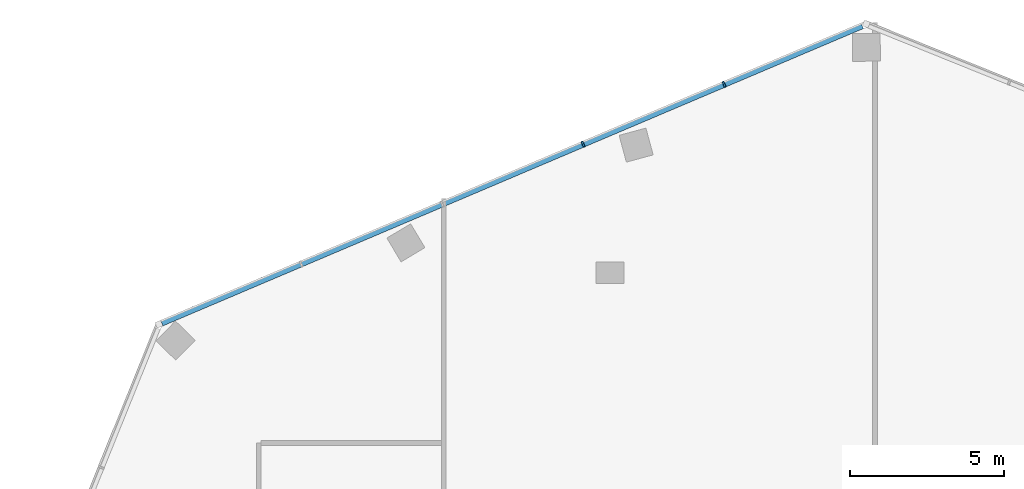
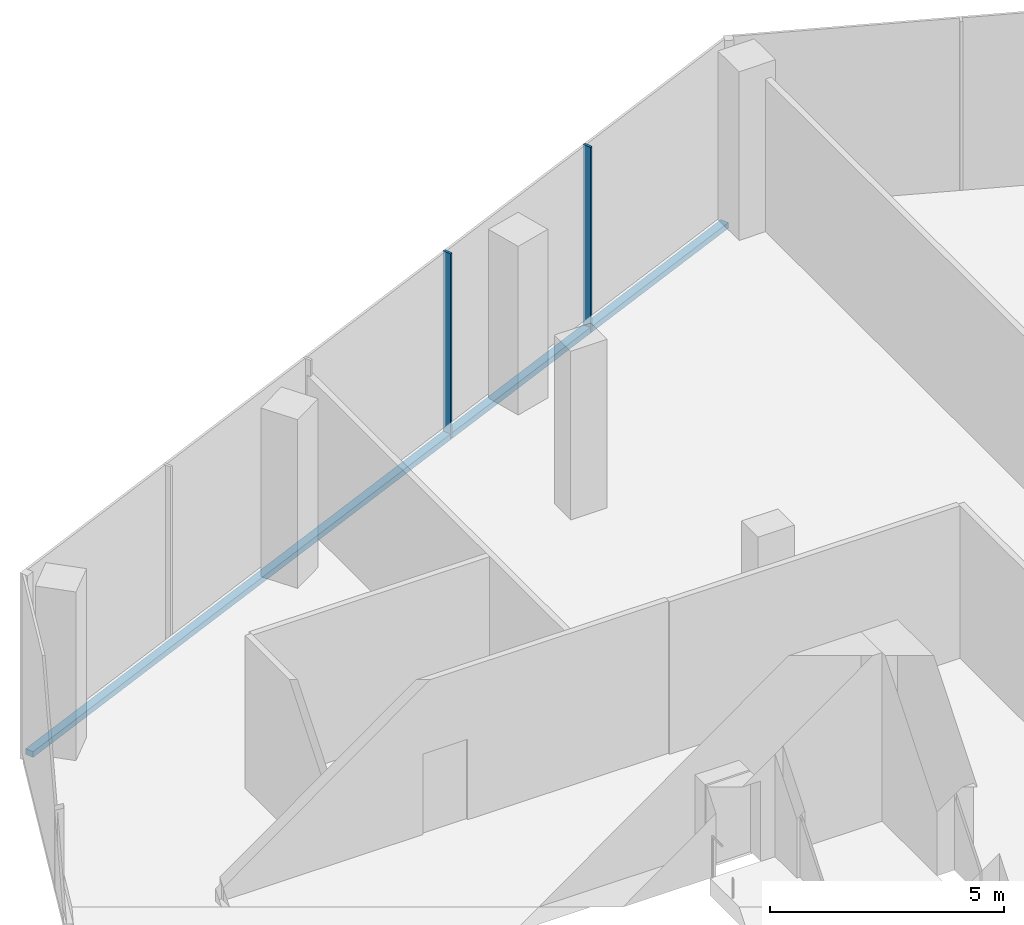
# One storey, part 7 of 15: 3 members, 1 element without a shape of its own.
"""IFC4 building model written with IfcOpenShell, lengths in metres."""

import ifcopenshell
import ifcopenshell.guid

model = None  # the IFC model being written
_history = None  # IfcOwnerHistory: only IFC2X3 demands one
_inside = {}  # id of a spatial element -> (the spatial element, [elements in it])
_under = {}  # id of a project, library or spatial element -> (it, [spatial elements below it])
_declared = {}  # id of a project -> (the project, [libraries it declares])
_typed = {}  # id of a type object -> (the type object, [elements of that type])
_made_of = {}  # id of a material, layer set ... -> (it, [elements and type objects made of it])


def new_model(schema):
    """Start an empty IFC model of exactly this schema.

    Asked for "IFC4X3", IfcOpenShell would pick the latest addendum, in which some entities
    have other attributes; the version numbers below select the first issue.
    IFC2X3 requires an IfcOwnerHistory on every rooted entity: one is made here for all.
    """
    global model, _history
    if schema == "IFC4X3":
        model = ifcopenshell.file(schema_version=(4, 3, 0, 0))
    else:
        model = ifcopenshell.file(schema=schema)
    _inside.clear()
    _under.clear()
    _declared.clear()
    _typed.clear()
    _made_of.clear()
    _history = None
    if model.schema == "IFC2X3":
        org = make("IfcOrganization", Name="unknown")
        user = make(
            "IfcPersonAndOrganization",
            ThePerson=make("IfcPerson", FamilyName="unknown"),
            TheOrganization=org,
        )
        app = make(
            "IfcApplication",
            ApplicationDeveloper=org,
            Version="unknown",
            ApplicationFullName="unknown",
            ApplicationIdentifier="unknown",
        )
        _history = make(
            "IfcOwnerHistory",
            OwningUser=user,
            OwningApplication=app,
            ChangeAction="ADDED",
            CreationDate=0,
        )
    return model


def make(cls, **values):
    """One entity of the class cls with the attributes given. An attribute that is None is left unset."""
    return model.create_entity(
        cls, **{name: value for name, value in values.items() if value is not None}
    )


def rooted(cls, **values):
    """An entity with a GlobalId (a new one), such as an element, a storey or a relation."""
    return make(cls, GlobalId=ifcopenshell.guid.new(), OwnerHistory=_history, **values)


def si_unit(unit_type, name, prefix=None):
    """IfcSIUnit, for example si_unit("LENGTHUNIT", "METRE", prefix="MILLI")."""
    return make("IfcSIUnit", UnitType=unit_type, Prefix=prefix, Name=name)


def assignment(units):
    """IfcUnitAssignment: the units of a project."""
    return None if units is None else make("IfcUnitAssignment", Units=units)


def point(xyz):
    """IfcCartesianPoint."""
    return None if xyz is None else make("IfcCartesianPoint", Coordinates=xyz)


def direction(xyz):
    """IfcDirection."""
    return None if xyz is None else make("IfcDirection", DirectionRatios=xyz)


def frame(location, z_axis=None, x_axis=None):
    """IfcAxis2Placement3D, a coordinate frame: its origin and axes. An axis left out is left unset."""
    return make(
        "IfcAxis2Placement3D",
        Location=point(location),
        Axis=direction(z_axis),
        RefDirection=direction(x_axis),
    )


def frame_2d(location, x_axis=None):
    """IfcAxis2Placement2D, a coordinate frame in the plane: its origin and x axis."""
    return make(
        "IfcAxis2Placement2D", Location=point(location), RefDirection=direction(x_axis)
    )


def origin():
    """The frame at (0, 0, 0) with its axes left unset."""
    return frame((0.0, 0.0, 0.0))


def origin_2d():
    """The frame at (0, 0) in the plane with its x axis left unset."""
    return frame_2d((0.0, 0.0))


def place(relative_to, where):
    """IfcLocalPlacement: puts the frame where relative to a parent placement (None: the world)."""
    return make(
        "IfcLocalPlacement", PlacementRelTo=relative_to, RelativePlacement=where
    )


def context(
    kind, dimensions, precision=None, world=None, true_north=None, identifier=None
):
    """IfcGeometricRepresentationContext, for example the 3D "Model" context."""
    return make(
        "IfcGeometricRepresentationContext",
        ContextIdentifier=identifier,
        ContextType=kind,
        CoordinateSpaceDimension=dimensions,
        Precision=precision,
        WorldCoordinateSystem=world,
        TrueNorth=true_north,
    )


def subcontext(parent, identifier, kind, view, scale=None):
    """IfcGeometricRepresentationSubContext, for example "Body" below "Model"."""
    return make(
        "IfcGeometricRepresentationSubContext",
        ContextIdentifier=identifier,
        ContextType=kind,
        ParentContext=parent,
        TargetScale=scale,
        TargetView=view,
    )


def project(units=None, contexts=None):
    """IfcProject with its units and contexts."""
    return rooted(
        "IfcProject",
        Name="project",
        RepresentationContexts=contexts,
        UnitsInContext=assignment(units),
    )


def spatial(cls, under=None, at=None, **own):
    """A site, building, storey or space (cls), placed at a placement, below another one or the project."""
    s = rooted(cls, ObjectPlacement=at, **own)
    if under is not None:
        _under.setdefault(under.id(), (under, []))[1].append(s)
    return s


def profile(cls, at=None, kind="AREA", **sizes):
    """A parametric profile (cls). Its sizes go by their IFC names, for example OverallWidth=200.0."""
    return make(cls, ProfileType=kind, Position=at, **sizes)


def rectangle(**sizes):
    """IfcRectangleProfileDef."""
    return profile("IfcRectangleProfileDef", **sizes)


def extrude(swept, where, along, depth):
    """IfcExtrudedAreaSolid: the profile swept, set in the frame where, extruded along a direction by depth."""
    return make(
        "IfcExtrudedAreaSolid",
        SweptArea=swept,
        Position=where,
        ExtrudedDirection=direction(along),
        Depth=depth,
    )


def shape(context_of_items, identifier, shape_type, items):
    """IfcShapeRepresentation: the items that make up one representation, for example the "Body"."""
    return make(
        "IfcShapeRepresentation",
        ContextOfItems=context_of_items,
        RepresentationIdentifier=identifier,
        RepresentationType=shape_type,
        Items=items,
    )


def material(Name=None, Category=None):
    """IfcMaterial."""
    return make("IfcMaterial", Name=Name, Category=Category)


def material_profile(
    of_material, cross_section, Name=None, Category=None, Priority=None
):
    """IfcMaterialProfile: a cross section and its material."""
    return make(
        "IfcMaterialProfile",
        Name=Name,
        Material=of_material,
        Profile=cross_section,
        Priority=Priority,
        Category=Category,
    )


def profile_set(profiles, Name=None, composite=None):
    """IfcMaterialProfileSet."""
    return make(
        "IfcMaterialProfileSet",
        Name=Name,
        MaterialProfiles=profiles,
        CompositeProfile=composite,
    )


def made_of(thing, what):
    """Note that an element or type object is made of a material, layer set ...; save() writes the relation."""
    if what is not None:
        _made_of.setdefault(what.id(), (what, []))[1].append(thing)
    return thing


def type_object(cls, material=None, **own):
    """A type object (cls), such as IfcWallType, which elements share."""
    return made_of(rooted(cls, **own), material)


def element(
    cls,
    number,
    at=None,
    inside=None,
    cuts=None,
    type_object=None,
    material=None,
    context=None,
    identifier="Body",
    shape_type=None,
    held_by="IfcProductDefinitionShape",
    body=None,
    shapes=None,
    **own,
):
    """One element of the class cls, such as IfcWall. Its Tag is "e" and its number.

    at: its placement. inside: the storey or other place that contains it. cuts: it is an
    opening in that element (IfcRelVoidsElement). A single representation is given by context,
    identifier, shape_type and body (its items); several are given by shapes. held_by: the class
    of the entity that holds the representations. save() writes the other relations.
    """
    e = rooted(cls, Tag="e%d" % number, ObjectPlacement=at, **own)
    if body is not None:
        shapes = [shape(context, identifier, shape_type, body)]
    if shapes is not None:
        e.Representation = make(held_by, Representations=shapes)
    if inside is not None:
        _inside.setdefault(inside.id(), (inside, []))[1].append(e)
    if cuts is not None:
        rooted(
            "IfcRelVoidsElement", RelatingBuildingElement=cuts, RelatedOpeningElement=e
        )
    if type_object is not None:
        _typed.setdefault(type_object.id(), (type_object, []))[1].append(e)
    return made_of(e, material)


def aggregate(whole, parts):
    """IfcRelAggregates: a whole, such as a stair, and the parts it consists of."""
    return rooted("IfcRelAggregates", RelatingObject=whole, RelatedObjects=parts)


def save(model, path):
    """Write the relations noted so far, then the file.

    IfcRelAggregates (storeys below a building ...), IfcRelContainedInSpatialStructure (elements
    in a storey), IfcRelDefinesByType, IfcRelAssociatesMaterial and IfcRelDeclares: one each for
    every whole, place, type object, material and project.
    """
    for whole, parts in _under.values():
        aggregate(whole, parts)
    for where, things in _inside.values():
        rooted(
            "IfcRelContainedInSpatialStructure",
            RelatedElements=things,
            RelatingStructure=where,
        )
    for kind, things in _typed.values():
        rooted("IfcRelDefinesByType", RelatedObjects=things, RelatingType=kind)
    for what, things in _made_of.values():
        rooted("IfcRelAssociatesMaterial", RelatedObjects=things, RelatingMaterial=what)
    for by, libraries in _declared.values():
        rooted("IfcRelDeclares", RelatingContext=by, RelatedDefinitions=libraries)
    model.write(path)


model = new_model("IFC4")

# Units and contexts
model_context = context("Model", 3, precision=1e-05, world=origin(), true_north=direction((0.0, 1.0)))
body_context = subcontext(model_context, "Body", "Model", "MODEL_VIEW")
ifc_project = project(units=[si_unit("LENGTHUNIT", "METRE"), si_unit("AREAUNIT", "SQUARE_METRE"), si_unit("VOLUMEUNIT", "CUBIC_METRE"), si_unit("PLANEANGLEUNIT", "RADIAN"), si_unit("MASSUNIT", "GRAM", prefix="KILO")], contexts=[model_context])

# Site, building, storey
site_placement = place(None, origin())
site = spatial("IfcSite", under=ifc_project, at=site_placement, CompositionType="ELEMENT")
building_placement = place(site_placement, origin())
building = spatial("IfcBuilding", under=site, at=building_placement, Name="Orlundy Tower", CompositionType="ELEMENT")
storey_placement = place(building_placement, frame((0.0, 0.0, 299.89990234375)))
storey = spatial("IfcBuildingStorey", under=building, at=storey_placement, Name="L80", CompositionType="ELEMENT", Elevation=299.89990234375)

# Curtain wall, members
ifc_material_1 = material(Name="Aluminium bronze anodised", Category="aluminium")
curtain_wall_type = type_object("IfcCurtainWallType", Name="CW4 wall", PredefinedType="NOTDEFINED", material=ifc_material_1)
curtain_wall_placement = place(storey_placement, origin())
curtain_wall = element("IfcCurtainWall", 1, at=curtain_wall_placement, inside=storey, type_object=curtain_wall_type, Name="CW4 run 06", PredefinedType="NOTDEFINED")
ifc_material_2 = material(Name="Aluminium bronze anodised", Category="aluminium")
ifc_material_profile_1 = material_profile(ifc_material_2, rectangle(XDim=0.199951171875, YDim=0.06005859375, at=origin_2d()), Name="CW4 mullion 60x200")
ifc_profile_set_1 = profile_set([ifc_material_profile_1], Name="Aluminium bronze anodised")
member_type_1 = type_object("IfcMemberType", Name="CW4 mullion 60x200", PredefinedType="MULLION", material=ifc_profile_set_1)
member_1_placement = place(storey_placement, frame((-9.473388671875, 28.6787109375, -0.449951171875), z_axis=(0.0, 0.0, 1.0), x_axis=(-0.390726531244, 0.920506804854, 0.0)))
member_1 = element("IfcMember", 2, at=member_1_placement, type_object=member_type_1, Name="CW4 mullion 34", PredefinedType="MULLION", context=body_context, shape_type="SweptSolid", body=[
    extrude(rectangle(XDim=0.199951171875, YDim=0.06005859375, at=origin_2d()), origin(), (0.0, 0.0, 1.0), 4.85009765625),
])
member_2_placement = place(storey_placement, frame((-4.897705078125, 30.620849609375, -0.449951171875), z_axis=(0.0, 0.0, 1.0), x_axis=(-0.390726531244, 0.920506804854, 0.0)))
member_2 = element("IfcMember", 3, at=member_2_placement, type_object=member_type_1, Name="CW4 mullion 35", PredefinedType="MULLION", context=body_context, shape_type="SweptSolid", body=[
    extrude(rectangle(XDim=0.199951171875, YDim=0.06005859375, at=origin_2d()), origin(), (0.0, 0.0, 1.0), 4.85009765625),
])
ifc_material_3 = material(Name="Aluminium bronze anodised", Category="aluminium")
ifc_material_profile_2 = material_profile(ifc_material_3, rectangle(XDim=0.199951171875, YDim=0.14990234375, at=origin_2d()), Name="CW4 transom 200x150")
ifc_profile_set_2 = profile_set([ifc_material_profile_2], Name="Aluminium bronze anodised")
member_type_2 = type_object("IfcMemberType", Name="CW4 transom 200x150", PredefinedType="USERDEFINED", material=ifc_profile_set_2)
member_3_placement = place(storey_placement, frame((-23.146240234375, 22.875, -0.375), z_axis=(0.920509385594, 0.390720451262, 0.0), x_axis=(-0.390720451262, 0.920509385594, 0.0)))
member_3 = element("IfcMember", 4, at=member_3_placement, type_object=member_type_2, Name="CW4 transom", ObjectType="TRANSOM", PredefinedType="USERDEFINED", context=body_context, shape_type="SweptSolid", body=[
    extrude(rectangle(XDim=0.199951171875, YDim=0.14990234375, at=origin_2d()), origin(), (0.0, 0.0, 1.0), 24.6953125),
])
aggregate(curtain_wall, [member_1, member_2, member_3])

save(model, "model.ifc")
